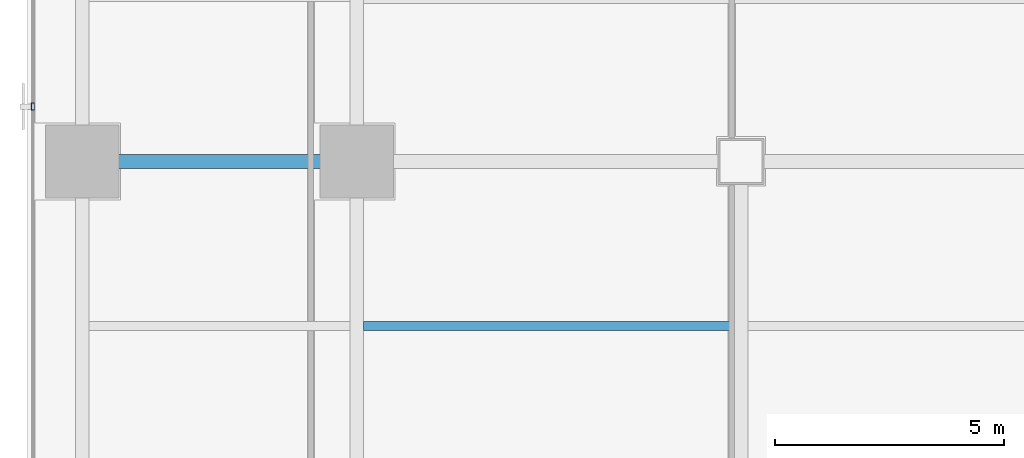
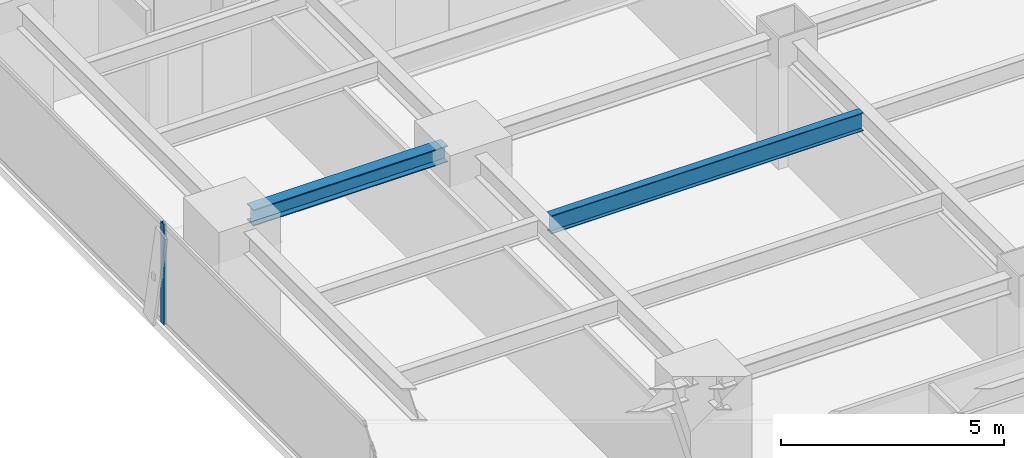
# One storey, part 7 of 28: 2 beams, 1 member, 1 element without a shape of its own.
"""IFC4 building model written with IfcOpenShell, lengths in metres."""

from ifc_helpers import new_model, si_unit, direction, frame, origin, origin_2d, place, context, subcontext, project, spatial, hollow_rectangle, i_section, extrude, source, transform, mapped, material, layer, layer_set, material_profile, profile_set, type_object, element, aggregate, save


model = new_model("IFC4")

# Units and contexts
model_context = context("Model", 3, precision=1e-05, world=origin(), true_north=direction((0.0, 1.0)))
body_context = subcontext(model_context, "Body", "Model", "MODEL_VIEW")
ifc_project = project(units=[si_unit("LENGTHUNIT", "METRE"), si_unit("AREAUNIT", "SQUARE_METRE"), si_unit("VOLUMEUNIT", "CUBIC_METRE"), si_unit("PLANEANGLEUNIT", "RADIAN"), si_unit("MASSUNIT", "GRAM", prefix="KILO")], contexts=[model_context])

# Site, building, storey
site_placement = place(None, origin())
site = spatial("IfcSite", under=ifc_project, at=site_placement, CompositionType="ELEMENT")
building_placement = place(site_placement, origin())
building = spatial("IfcBuilding", under=site, at=building_placement, Name="Sumidabori Civic Tower", CompositionType="ELEMENT")
storey_placement = place(building_placement, frame((0.0, 0.0, 178.39990234375)))
storey = spatial("IfcBuildingStorey", under=building, at=storey_placement, Name="L46", CompositionType="ELEMENT", Elevation=178.39990234375)

# Beams
ifc_material_1 = material(Name="Steel SN490", Category="steel")
ifc_material_profile_1 = material_profile(ifc_material_1, i_section(OverallWidth=0.199951171875, OverallDepth=0.5, WebThickness=0.01025390625, FlangeThickness=0.01611328125, at=origin_2d()), Name="IPE 500")
ifc_profile_set_1 = profile_set([ifc_material_profile_1], Name="Steel SN490")
beam_type_1 = type_object("IfcBeamType", Name="BM-JST-500", PredefinedType="JOIST", material=ifc_profile_set_1)
shared_shape_1 = source(origin(), body_context, "Body", "SweptSolid", [
    extrude(i_section(OverallWidth=0.199951171875, OverallDepth=0.5, WebThickness=0.01025390625, FlangeThickness=0.01611328125, at=origin_2d()), origin(), (0.0, 0.0, 1.0), 8.099853515625),
])
beam_1_placement = place(storey_placement, frame((-16.64990234375, -3.60009765625, 3.130126953125), z_axis=(1.0, 0.0, 0.0), x_axis=(0.0, 1.0, 0.0)))
element("IfcBeam", 1, at=beam_1_placement, inside=storey, type_object=beam_type_1, Name="South Bay Floor Joist L46 JSTS-57", PredefinedType="JOIST", context=body_context, shape_type="MappedRepresentation", body=[
    mapped(shared_shape_1, transform((0.0, 0.0, 0.0), x_axis=(1.0, 0.0, 0.0), y_axis=(0.0, 1.0, 0.0), z_axis=(0.0, 0.0, 1.0), scale=1.0)),
])
ifc_material_profile_2 = material_profile(ifc_material_1, i_section(OverallWidth=0.300048828125, OverallDepth=0.449951171875, WebThickness=0.013916015625, FlangeThickness=0.02587890625, at=origin_2d()), Name="HE 450 B")
ifc_profile_set_2 = profile_set([ifc_material_profile_2], Name="Steel SN490")
beam_type_2 = type_object("IfcBeamType", Name="BM-GIRD-450", PredefinedType="BEAM", material=ifc_profile_set_2)
shared_shape_2 = source(origin(), body_context, "Body", "SweptSolid", [
    extrude(i_section(OverallWidth=0.300048828125, OverallDepth=0.449951171875, WebThickness=0.013916015625, FlangeThickness=0.02587890625, at=origin_2d()), origin(), (0.0, 0.0, 1.0), 5.0400390625),
])
beam_2_placement = place(storey_placement, frame((-22.320068359375, 0.0, 3.155029296875), z_axis=(1.0, 0.0, 0.0), x_axis=(0.0, 1.0, 0.0)))
element("IfcBeam", 2, at=beam_2_placement, inside=storey, type_object=beam_type_2, Name="Primary Girder L46 GX-11", PredefinedType="BEAM", context=body_context, shape_type="MappedRepresentation", body=[
    mapped(shared_shape_2, transform((0.0, 0.0, 0.0), x_axis=(1.0, 0.0, 0.0), y_axis=(0.0, 1.0, 0.0), z_axis=(0.0, 0.0, 1.0), scale=1.0)),
])

# Curtain wall, member
ifc_material_2 = material(Name="Anodised Bronze Aluminium AW-6063-T6", Category="aluminium")
ifc_layer = layer(ifc_material_2, 0.179931640625, Name="Anodised Bronze Aluminium AW-6063-T6")
ifc_layer_set = layer_set([ifc_layer], Name="Anodised Bronze Aluminium AW-6063-T6")
curtain_wall_type = type_object("IfcCurtainWallType", Name="CW-SYS-3", PredefinedType="NOTDEFINED", material=ifc_layer_set)
curtain_wall_placement = place(storey_placement, origin())
curtain_wall = element("IfcCurtainWall", 3, at=curtain_wall_placement, inside=storey, type_object=curtain_wall_type, Name="Curtain Wall CW:L46:R10", PredefinedType="NOTDEFINED")
ifc_material_profile_3 = material_profile(ifc_material_2, hollow_rectangle(XDim=0.06494140625, YDim=0.159912109375, WallThickness=0.0048828125, at=origin_2d()), Name="ALU MULLION 160x65")
ifc_profile_set_3 = profile_set([ifc_material_profile_3], Name="Anodised Bronze Aluminium AW-6063-T6")
member_type = type_object("IfcMemberType", Name="CW-MUL-160", PredefinedType="MULLION", material=ifc_profile_set_3)
shared_shape_3 = source(origin(), body_context, "Body", "SweptSolid", [
    extrude(hollow_rectangle(XDim=0.06494140625, YDim=0.159912109375, WallThickness=0.0048828125, at=origin_2d()), origin(), (0.0, 0.0, 1.0), 2.760009765625),
])
member_placement = place(storey_placement, frame((-23.8798828125, 1.199951171875, 0.0), z_axis=(0.0, 0.0, 1.0), x_axis=(1.0, 0.0, 0.0)))
member = element("IfcMember", 4, at=member_placement, type_object=member_type, Name="CW-3 mullion 3", PredefinedType="MULLION", context=body_context, shape_type="MappedRepresentation", body=[
    mapped(shared_shape_3, transform((0.0, 0.0, 0.0), x_axis=(1.0, 0.0, 0.0), y_axis=(0.0, 1.0, 0.0), z_axis=(0.0, 0.0, 1.0), scale=1.0)),
])
aggregate(curtain_wall, [member])

save(model, "model.ifc")
